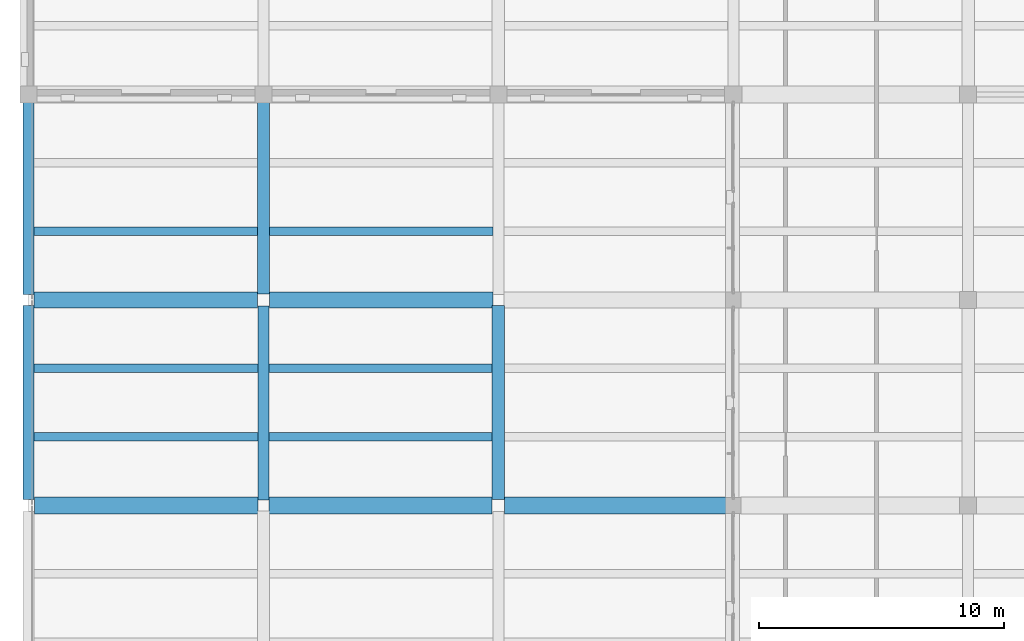
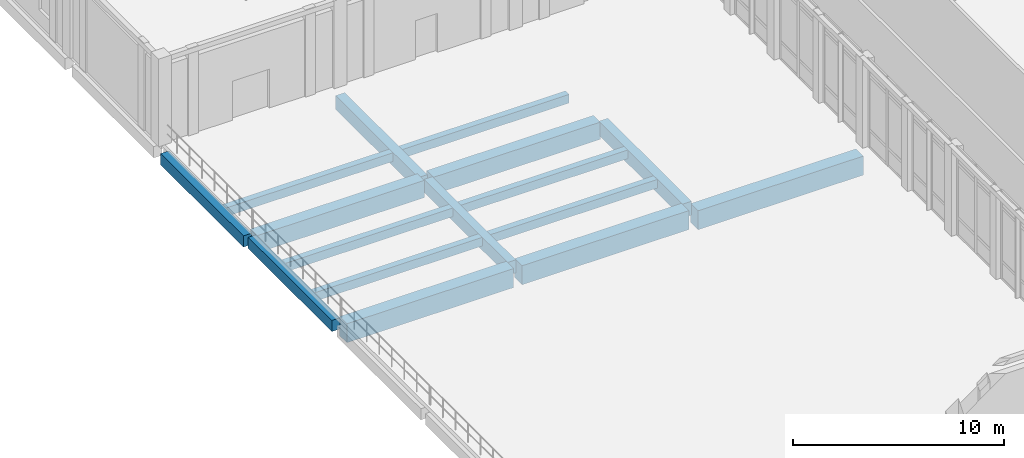
# One storey, part 19 of 71: 16 beams.
"""IFC4 building model written with IfcOpenShell, lengths in metres."""

from ifc_helpers import new_model, si_unit, direction, frame, origin, origin_2d, place, context, subcontext, project, spatial, rectangle, extrude, material, material_profile, profile_set, type_object, element, save


model = new_model("IFC4")

# Units and contexts
model_context = context("Model", 3, precision=1e-05, world=origin(), true_north=direction((0.0, 1.0)))
body_context = subcontext(model_context, "Body", "Model", "MODEL_VIEW")
ifc_project = project(units=[si_unit("LENGTHUNIT", "METRE"), si_unit("AREAUNIT", "SQUARE_METRE"), si_unit("VOLUMEUNIT", "CUBIC_METRE"), si_unit("PLANEANGLEUNIT", "RADIAN"), si_unit("MASSUNIT", "GRAM", prefix="KILO")], contexts=[model_context])

# Site, building, storey
site_placement = place(None, origin())
site = spatial("IfcSite", under=ifc_project, at=site_placement, CompositionType="ELEMENT")
building_placement = place(site_placement, origin())
building = spatial("IfcBuilding", under=site, at=building_placement, Name="Lornevale Opera House", CompositionType="ELEMENT")
storey_placement = place(building_placement, origin())
storey = spatial("IfcBuildingStorey", under=building, at=storey_placement, Name="L01", CompositionType="ELEMENT", Elevation=0.0)

# Beams
ifc_material_1 = material(Name="Concrete 35 MPa (CSA A23.1 N)", Category="concrete")
ifc_material_profile_1 = material_profile(ifc_material_1, rectangle(XDim=0.449951171875, YDim=0.75, at=origin_2d()), Name="RC450x750")
ifc_profile_set_1 = profile_set([ifc_material_profile_1], Name="Concrete 35 MPa (CSA A23.1 N)")
beam_type_1 = type_object("IfcBeamType", Name="Concrete Floor Beam 450x750", PredefinedType="USERDEFINED", material=ifc_profile_set_1)
beam_1_placement = place(storey_placement, frame((9.60009765625, 50.625, -0.625), z_axis=(0.0, 1.0, 0.0), x_axis=(-1.0, 0.0, 0.0)))
element("IfcBeam", 1, at=beam_1_placement, inside=storey, type_object=beam_type_1, Name="Concrete Floor Beam 450x750 1087", ObjectType="GIRDER", PredefinedType="USERDEFINED", context=body_context, shape_type="SweptSolid", body=[
    extrude(rectangle(XDim=0.449951171875, YDim=0.75, at=origin_2d()), origin(), (0.0, 0.0, 1.0), 7.925048828125),
])
ifc_material_profile_2 = material_profile(ifc_material_1, rectangle(XDim=0.5, YDim=0.800048828125, at=origin_2d()), Name="RC500x800")
ifc_profile_set_2 = profile_set([ifc_material_profile_2], Name="Concrete 35 MPa (CSA A23.1 N)")
beam_type_2 = type_object("IfcBeamType", Name="Concrete Floor Beam 500x800", PredefinedType="USERDEFINED", material=ifc_profile_set_2)
beam_2_placement = place(storey_placement, frame((9.60009765625, 59.050048828125, -0.840087890625), z_axis=(0.0, 1.0, 0.0), x_axis=(-1.0, 0.0, 0.0)))
element("IfcBeam", 2, at=beam_2_placement, inside=storey, type_object=beam_type_2, Name="Concrete Floor Beam 500x800 1088", ObjectType="GIRDER", PredefinedType="USERDEFINED", context=body_context, shape_type="SweptSolid", body=[
    extrude(rectangle(XDim=0.5, YDim=0.800048828125, at=origin_2d()), origin(), (0.0, 0.0, 1.0), 7.824951171875),
])
beam_3_placement = place(storey_placement, frame((19.199951171875, 50.64990234375, -0.64990234375), z_axis=(0.0, 1.0, 0.0), x_axis=(-1.0, 0.0, 0.0)))
element("IfcBeam", 3, at=beam_3_placement, inside=storey, type_object=beam_type_2, Name="Concrete Floor Beam 500x800 1099", ObjectType="GIRDER", PredefinedType="USERDEFINED", context=body_context, shape_type="SweptSolid", body=[
    extrude(rectangle(XDim=0.5, YDim=0.800048828125, at=origin_2d()), origin(), (0.0, 0.0, 1.0), 7.925048828125),
])
ifc_material_2 = material(Name="Concrete 40 MPa (CSA A23.1 C-1)", Category="concrete")
ifc_material_profile_3 = material_profile(ifc_material_2, rectangle(XDim=0.64990234375, YDim=1.0, at=origin_2d()), Name="RC650x1000")
ifc_profile_set_3 = profile_set([ifc_material_profile_3], Name="Concrete 40 MPa (CSA A23.1 C-1)")
beam_type_3 = type_object("IfcBeamType", Name="Concrete Primary Girder 650x1000", PredefinedType="USERDEFINED", material=ifc_profile_set_3)
for number, where, z_axis, x_axis, name in (
    (4, (0.22509765625, 58.800048828125, -0.75), (1.0, 0.0, 0.0), (0.0, 1.0, 0.0), "Concrete Primary Girder 650x1000 0959"),
    (5, (9.85009765625, 58.800048828125, -0.75), (1.0, 0.0, 0.0), (0.0, 1.0, 0.0), "Concrete Primary Girder 650x1000 0960"),
):
    element("IfcBeam", number, at=place(storey_placement, frame(where, z_axis=z_axis, x_axis=x_axis)), inside=storey, type_object=beam_type_3, Name=name, ObjectType="GIRDER", PredefinedType="USERDEFINED", context=body_context, shape_type="SweptSolid", body=[
        extrude(rectangle(XDim=0.64990234375, YDim=1.0, at=origin_2d()), origin(), (0.0, 0.0, 1.0), 9.125),
    ])
ifc_material_profile_4 = material_profile(ifc_material_2, rectangle(XDim=0.699951171875, YDim=1.10009765625, at=origin_2d()), Name="RC700x1100")
ifc_profile_set_4 = profile_set([ifc_material_profile_4], Name="Concrete 40 MPa (CSA A23.1 C-1)")
beam_type_4 = type_object("IfcBeamType", Name="Concrete Primary Girder 700x1100", PredefinedType="USERDEFINED", material=ifc_profile_set_4)
for number, where, z_axis, x_axis, name in (
    (6, (0.25, 50.39990234375, -0.800048828125), (1.0, 0.0, 0.0), (0.0, 1.0, 0.0), "Concrete Primary Girder 700x1100 0942"),
    (7, (9.824951171875, 50.39990234375, -0.800048828125), (1.0, 0.0, 0.0), (0.0, 1.0, 0.0), "Concrete Primary Girder 700x1100 0943"),
):
    element("IfcBeam", number, at=place(storey_placement, frame(where, z_axis=z_axis, x_axis=x_axis)), inside=storey, type_object=beam_type_4, Name=name, ObjectType="GIRDER", PredefinedType="USERDEFINED", context=body_context, shape_type="SweptSolid", body=[
        extrude(rectangle(XDim=0.699951171875, YDim=1.10009765625, at=origin_2d()), origin(), (0.0, 0.0, 1.0), 9.125),
    ])
beam_4_placement = place(storey_placement, frame((19.449951171875, 50.39990234375, -0.989990234375), z_axis=(1.0, 0.0, 0.0), x_axis=(0.0, 1.0, 0.0)))
element("IfcBeam", 8, at=beam_4_placement, inside=storey, type_object=beam_type_4, Name="Concrete Primary Girder 700x1100 0944", ObjectType="GIRDER", PredefinedType="USERDEFINED", context=body_context, shape_type="SweptSolid", body=[
    extrude(rectangle(XDim=0.699951171875, YDim=1.10009765625, at=origin_2d()), origin(), (0.0, 0.0, 1.0), 9.050048828125),
])
ifc_material_profile_5 = material_profile(ifc_material_1, rectangle(XDim=0.35009765625, YDim=0.5, at=origin_2d()), Name="RC350x500")
ifc_profile_set_5 = profile_set([ifc_material_profile_5], Name="Concrete 35 MPa (CSA A23.1 N)")
beam_type_5 = type_object("IfcBeamType", Name="Concrete Secondary Rib 350x500", PredefinedType="JOIST", material=ifc_profile_set_5)
for number, where, z_axis, x_axis, name in (
    (9, (0.22509765625, 53.199951171875, -0.5), (1.0, 0.0, 0.0), (0.0, 1.0, 0.0), "Concrete Secondary Rib 350x500 1303"),
    (10, (0.22509765625, 56.0, -0.5), (1.0, 0.0, 0.0), (0.0, 1.0, 0.0), "Concrete Secondary Rib 350x500 1304"),
):
    element("IfcBeam", number, at=place(storey_placement, frame(where, z_axis=z_axis, x_axis=x_axis)), inside=storey, type_object=beam_type_5, Name=name, PredefinedType="JOIST", context=body_context, shape_type="SweptSolid", body=[
        extrude(rectangle(XDim=0.35009765625, YDim=0.5, at=origin_2d()), origin(), (0.0, 0.0, 1.0), 9.14990234375),
    ])
for number, where, z_axis, x_axis, name in (
    (11, (0.22509765625, 61.60009765625, -0.68994140625), (1.0, 0.0, 0.0), (0.0, 1.0, 0.0), "Concrete Secondary Rib 350x500 1305"),
    (12, (9.824951171875, 53.199951171875, -0.5), (1.0, 0.0, 0.0), (0.0, 1.0, 0.0), "Concrete Secondary Rib 350x500 1327"),
    (13, (9.824951171875, 56.0, -0.5), (1.0, 0.0, 0.0), (0.0, 1.0, 0.0), "Concrete Secondary Rib 350x500 1328"),
    (14, (9.85009765625, 61.60009765625, -0.68994140625), (1.0, 0.0, 0.0), (0.0, 1.0, 0.0), "Concrete Secondary Rib 350x500 1329"),
):
    element("IfcBeam", number, at=place(storey_placement, frame(where, z_axis=z_axis, x_axis=x_axis)), inside=storey, type_object=beam_type_5, Name=name, PredefinedType="JOIST", context=body_context, shape_type="SweptSolid", body=[
        extrude(rectangle(XDim=0.35009765625, YDim=0.5, at=origin_2d()), origin(), (0.0, 0.0, 1.0), 9.125),
    ])
ifc_material_profile_6 = material_profile(ifc_material_1, rectangle(XDim=0.449951171875, YDim=0.64990234375, at=origin_2d()), Name="RC450x650")
ifc_profile_set_6 = profile_set([ifc_material_profile_6], Name="Concrete 35 MPa (CSA A23.1 N)")
beam_type_6 = type_object("IfcBeamType", Name="Concrete Spandrel Beam 450x650", PredefinedType="SPANDREL", material=ifc_profile_set_6)
beam_5_placement = place(storey_placement, frame((0.0, 50.64990234375, -0.574951171875), z_axis=(0.0, 1.0, 0.0), x_axis=(-1.0, 0.0, 0.0)))
element("IfcBeam", 15, at=beam_5_placement, inside=storey, type_object=beam_type_6, Name="Concrete Spandrel Beam 450x650 1075", PredefinedType="SPANDREL", context=body_context, shape_type="SweptSolid", body=[
    extrude(rectangle(XDim=0.449951171875, YDim=0.64990234375, at=origin_2d()), origin(), (0.0, 0.0, 1.0), 7.925048828125),
])
beam_6_placement = place(storey_placement, frame((0.0, 59.02490234375, -0.764892578125), z_axis=(0.0, 1.0, 0.0), x_axis=(-1.0, 0.0, 0.0)))
element("IfcBeam", 16, at=beam_6_placement, inside=storey, type_object=beam_type_6, Name="Concrete Spandrel Beam 450x650 1076", PredefinedType="SPANDREL", context=body_context, shape_type="SweptSolid", body=[
    extrude(rectangle(XDim=0.449951171875, YDim=0.64990234375, at=origin_2d()), origin(), (0.0, 0.0, 1.0), 7.85009765625),
])

save(model, "model.ifc")
